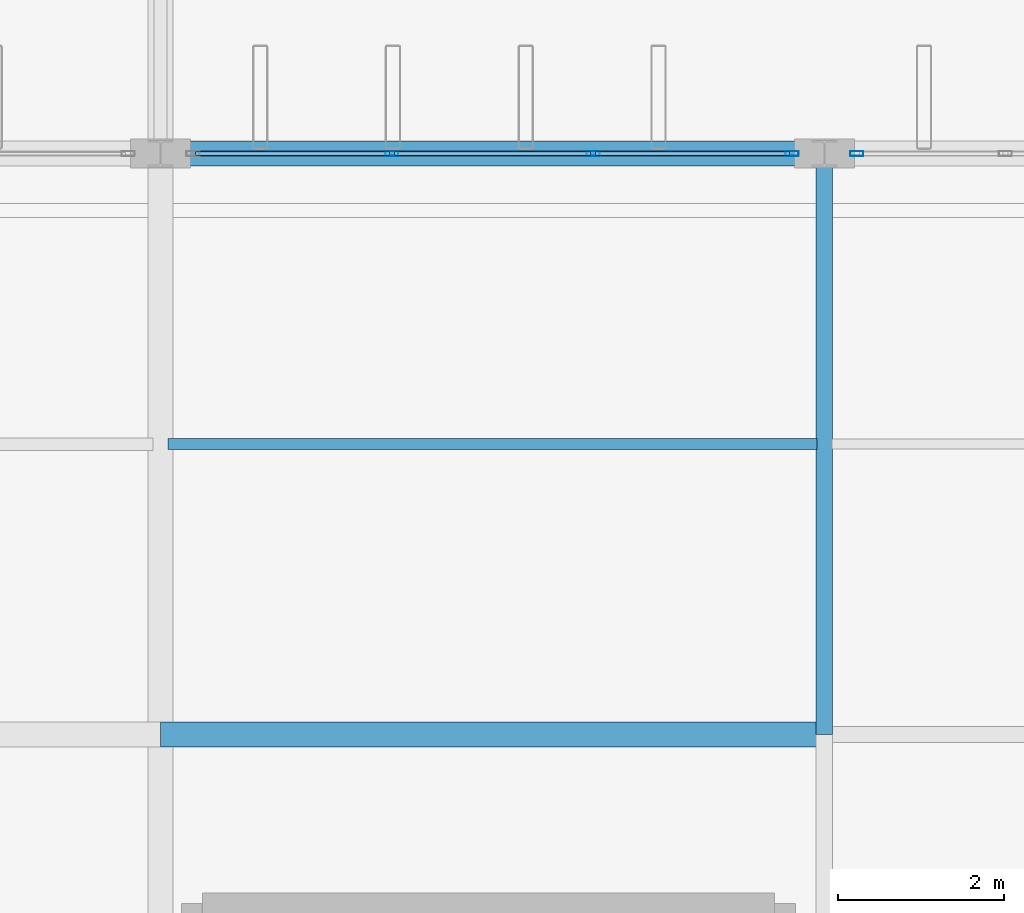
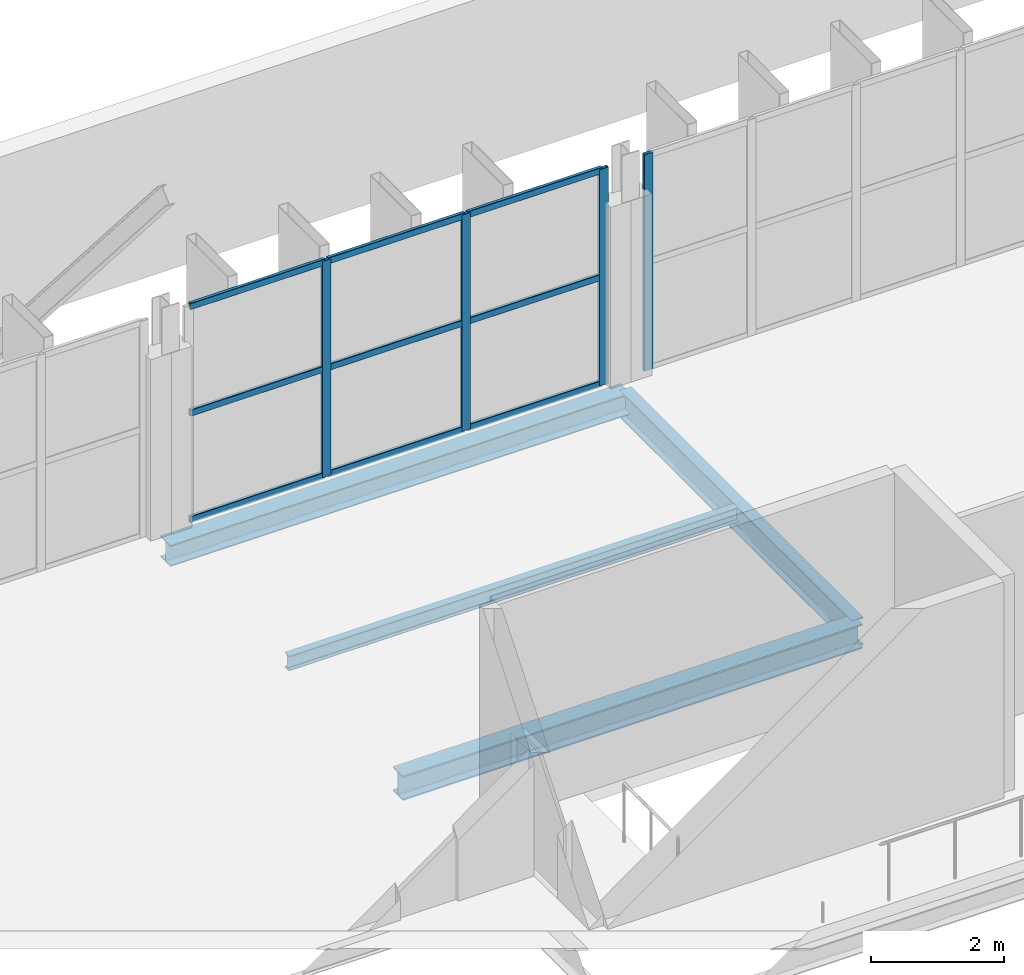
# One storey, part 47 of 93: 13 members, 4 beams, 2 elements without a shape of their own.
"""IFC4 building model written with IfcOpenShell, lengths in metres."""

from ifc_helpers import new_model, si_unit, direction, frame, origin, origin_2d, place, context, subcontext, project, spatial, hollow_rectangle, i_section, extrude, material, layer, layer_set, material_profile, profile_set, type_object, element, aggregate, save


model = new_model("IFC4")

# Units and contexts
model_context = context("Model", 3, precision=1e-05, world=origin(), true_north=direction((0.0, 1.0)))
body_context = subcontext(model_context, "Body", "Model", "MODEL_VIEW")
ifc_project = project(units=[si_unit("LENGTHUNIT", "METRE"), si_unit("AREAUNIT", "SQUARE_METRE"), si_unit("VOLUMEUNIT", "CUBIC_METRE"), si_unit("PLANEANGLEUNIT", "RADIAN"), si_unit("MASSUNIT", "GRAM", prefix="KILO")], contexts=[model_context])

# Site, building, storey
site_placement = place(None, origin())
site = spatial("IfcSite", under=ifc_project, at=site_placement, CompositionType="ELEMENT")
building_placement = place(site_placement, origin())
building = spatial("IfcBuilding", under=site, at=building_placement, Name="Vekula Escarpment Museum", CompositionType="ELEMENT")
storey_placement = place(building_placement, frame((0.0, 0.0, 22.199951171875)))
storey = spatial("IfcBuildingStorey", under=building, at=storey_placement, Name="L05", CompositionType="ELEMENT", Elevation=22.199951171875)

# Beams
ifc_material_1 = material(Name="Steel S355", Category="steel")
ifc_material_profile_1 = material_profile(ifc_material_1, i_section(OverallWidth=0.300048828125, OverallDepth=0.449951171875, WebThickness=0.013916015625, FlangeThickness=0.02587890625, FilletRadius=0.027099609375, at=origin_2d()), Name="HEB 450")
ifc_profile_set_1 = profile_set([ifc_material_profile_1], Name="Steel S355")
beam_type_1 = type_object("IfcBeamType", Name="BM-GIRD-HEB450", PredefinedType="BEAM", material=ifc_profile_set_1)
beam_1_placement = place(storey_placement, frame((86.0, 83.39990234375, -0.445068359375), z_axis=(1.0, 0.0, 0.0), x_axis=(0.0, 1.0, 0.0)))
element("IfcBeam", 1, at=beam_1_placement, inside=storey, type_object=beam_type_1, Name="Beam X L05 2038", PredefinedType="BEAM", context=body_context, shape_type="SweptSolid", body=[
    extrude(i_section(OverallWidth=0.300048828125, OverallDepth=0.449951171875, WebThickness=0.013916015625, FlangeThickness=0.02587890625, FilletRadius=0.027099609375, at=origin_2d()), origin(), (0.0, 0.0, 1.0), 8.0),
])
ifc_material_2 = material(Name="Steel S355", Category="steel")
ifc_material_profile_2 = material_profile(ifc_material_2, i_section(OverallWidth=0.199951171875, OverallDepth=0.5, WebThickness=0.01025390625, FlangeThickness=0.01611328125, FilletRadius=0.02099609375, at=origin_2d()), Name="IPE 500")
ifc_profile_set_2 = profile_set([ifc_material_profile_2], Name="Steel S355")
beam_type_2 = type_object("IfcBeamType", Name="BM-GIRD-IPE500", PredefinedType="BEAM", material=ifc_profile_set_2)
beam_2_placement = place(storey_placement, frame((94.0, 83.39990234375, -0.469970703125), z_axis=(0.0, 1.0, 0.0), x_axis=(-1.0, 0.0, 0.0)))
element("IfcBeam", 2, at=beam_2_placement, inside=storey, type_object=beam_type_2, Name="Beam Y L05 2137", PredefinedType="BEAM", context=body_context, shape_type="SweptSolid", body=[
    extrude(i_section(OverallWidth=0.199951171875, OverallDepth=0.5, WebThickness=0.01025390625, FlangeThickness=0.01611328125, FilletRadius=0.02099609375, at=origin_2d()), origin(), (0.0, 0.0, 1.0), 7.0),
])
ifc_material_3 = material(Name="Steel S355", Category="steel")
ifc_material_profile_3 = material_profile(ifc_material_3, i_section(OverallWidth=0.135009765625, OverallDepth=0.27001953125, WebThickness=0.006591796875, FlangeThickness=0.01025390625, FilletRadius=0.014892578125, at=origin_2d()), Name="IPE 270")
ifc_profile_set_3 = profile_set([ifc_material_profile_3], Name="Steel S355")
beam_type_3 = type_object("IfcBeamType", Name="BM-JST-IPE270", PredefinedType="JOIST", material=ifc_profile_set_3)
beam_3_placement = place(storey_placement, frame((86.090087890625, 86.89990234375, -0.35498046875), z_axis=(1.0, 0.0, 0.0), x_axis=(0.0, 1.0, 0.0)))
element("IfcBeam", 3, at=beam_3_placement, inside=storey, type_object=beam_type_3, Name="Secondary Joist L05 1357", PredefinedType="JOIST", context=body_context, shape_type="SweptSolid", body=[
    extrude(i_section(OverallWidth=0.135009765625, OverallDepth=0.27001953125, WebThickness=0.006591796875, FlangeThickness=0.01025390625, FilletRadius=0.014892578125, at=origin_2d()), origin(), (0.0, 0.0, 1.0), 7.81982421875),
])
ifc_material_4 = material(Name="Steel S355", Category="steel")
ifc_material_profile_4 = material_profile(ifc_material_4, i_section(OverallWidth=0.300048828125, OverallDepth=0.389892578125, WebThickness=0.010986328125, FlangeThickness=0.01904296875, FilletRadius=0.027099609375, at=origin_2d()), Name="HEA 400")
ifc_profile_set_4 = profile_set([ifc_material_profile_4], Name="Steel S355")
beam_type_4 = type_object("IfcBeamType", Name="BM-SPAN-HEA400", PredefinedType="SPANDREL", material=ifc_profile_set_4)
beam_4_placement = place(storey_placement, frame((86.0, 90.39990234375, -0.4150390625), z_axis=(1.0, 0.0, 0.0), x_axis=(0.0, 1.0, 0.0)))
element("IfcBeam", 4, at=beam_4_placement, inside=storey, type_object=beam_type_4, Name="Beam X L05 2048", PredefinedType="SPANDREL", context=body_context, shape_type="SweptSolid", body=[
    extrude(i_section(OverallWidth=0.300048828125, OverallDepth=0.389892578125, WebThickness=0.010986328125, FlangeThickness=0.01904296875, FilletRadius=0.027099609375, at=origin_2d()), origin(), (0.0, 0.0, 1.0), 8.0),
])

# Curtain wall, member
ifc_material_5 = material(Name="Aluminium thermally broken framing", Category="aluminium")
ifc_layer_1 = layer(ifc_material_5, 0.14990234375)
ifc_layer_set_1 = layer_set([ifc_layer_1], Name="Aluminium thermally broken framing")
curtain_wall_type_1 = type_object("IfcCurtainWallType", Name="CW-SYS-09", PredefinedType="NOTDEFINED", material=ifc_layer_set_1)
curtain_wall_1_placement = place(storey_placement, origin())
curtain_wall_1 = element("IfcCurtainWall", 5, at=curtain_wall_1_placement, inside=storey, type_object=curtain_wall_type_1, Name="Curtain Wall CW-L05-179", PredefinedType="NOTDEFINED")
ifc_material_6 = material(Name="Aluminium anodized mullion", Category="aluminium")
ifc_material_profile_5 = material_profile(ifc_material_6, hollow_rectangle(XDim=0.06005859375, YDim=0.159912109375, WallThickness=0.00390625, InnerFilletRadius=0.00390625, OuterFilletRadius=0.008056640625, at=origin_2d()), Name="ALU 160x60x4")
ifc_profile_set_5 = profile_set([ifc_material_profile_5], Name="Aluminium anodized mullion")
member_type_1 = type_object("IfcMemberType", Name="CW-MUL-160", PredefinedType="MULLION", material=ifc_profile_set_5)
member_1_placement = place(storey_placement, frame((94.389892578125, 90.39990234375, 0.0), z_axis=(0.0, 0.0, 1.0), x_axis=(0.0, -1.0, 0.0)))
member_1 = element("IfcMember", 6, at=member_1_placement, type_object=member_type_1, Name="CW-09 mullion 5", PredefinedType="MULLION", context=body_context, shape_type="SweptSolid", body=[
    extrude(hollow_rectangle(XDim=0.06005859375, YDim=0.159912109375, WallThickness=0.00390625, InnerFilletRadius=0.00390625, OuterFilletRadius=0.008056640625, at=origin_2d()), origin(), (0.0, 0.0, 1.0), 3.97998046875),
])
aggregate(curtain_wall_1, [member_1])

# Curtain wall, members
ifc_material_7 = material(Name="Aluminium thermally broken framing", Category="aluminium")
ifc_layer_2 = layer(ifc_material_7, 0.169921875)
ifc_layer_set_2 = layer_set([ifc_layer_2], Name="Aluminium thermally broken framing")
curtain_wall_type_2 = type_object("IfcCurtainWallType", Name="CW-SYS-10", PredefinedType="NOTDEFINED", material=ifc_layer_set_2)
curtain_wall_2_placement = place(storey_placement, origin())
curtain_wall_2 = element("IfcCurtainWall", 7, at=curtain_wall_2_placement, inside=storey, type_object=curtain_wall_type_2, Name="Curtain Wall CW-L05-180", PredefinedType="NOTDEFINED")
member_2_placement = place(storey_placement, frame((93.610107421875, 90.39990234375, 0.0), z_axis=(0.0, 0.0, 1.0), x_axis=(0.0, -1.0, 0.0)))
member_2 = element("IfcMember", 8, at=member_2_placement, type_object=member_type_1, Name="CW-10 mullion 1", PredefinedType="MULLION", context=body_context, shape_type="SweptSolid", body=[
    extrude(hollow_rectangle(XDim=0.06005859375, YDim=0.159912109375, WallThickness=0.00390625, InnerFilletRadius=0.00390625, OuterFilletRadius=0.008056640625, at=origin_2d()), origin(), (0.0, 0.0, 1.0), 3.97998046875),
])
member_3_placement = place(storey_placement, frame((91.21337890625, 90.39990234375, 0.0), z_axis=(0.0, 0.0, 1.0), x_axis=(0.0, -1.0, 0.0)))
member_3 = element("IfcMember", 9, at=member_3_placement, type_object=member_type_1, Name="CW-10 mullion 2", PredefinedType="MULLION", context=body_context, shape_type="SweptSolid", body=[
    extrude(hollow_rectangle(XDim=0.06005859375, YDim=0.159912109375, WallThickness=0.00390625, InnerFilletRadius=0.00390625, OuterFilletRadius=0.008056640625, at=origin_2d()), origin(), (0.0, 0.0, 1.0), 3.97998046875),
])
member_4_placement = place(storey_placement, frame((88.78662109375, 90.39990234375, 0.0), z_axis=(0.0, 0.0, 1.0), x_axis=(0.0, -1.0, 0.0)))
member_4 = element("IfcMember", 10, at=member_4_placement, type_object=member_type_1, Name="CW-10 mullion 3", PredefinedType="MULLION", context=body_context, shape_type="SweptSolid", body=[
    extrude(hollow_rectangle(XDim=0.06005859375, YDim=0.159912109375, WallThickness=0.00390625, InnerFilletRadius=0.00390625, OuterFilletRadius=0.008056640625, at=origin_2d()), origin(), (0.0, 0.0, 1.0), 3.97998046875),
])
ifc_material_8 = material(Name="Aluminium anodized transom", Category="aluminium")
ifc_material_profile_6 = material_profile(ifc_material_8, hollow_rectangle(XDim=0.06005859375, YDim=0.1201171875, WallThickness=0.00390625, InnerFilletRadius=0.00390625, OuterFilletRadius=0.008056640625, at=origin_2d()), Name="ALU 120x60x4")
ifc_profile_set_6 = profile_set([ifc_material_profile_6], Name="Aluminium anodized transom")
member_type_2 = type_object("IfcMemberType", Name="CW-TRN-120", PredefinedType="USERDEFINED", material=ifc_profile_set_6)
member_5_placement = place(storey_placement, frame((93.580078125, 90.39990234375, 0.030029296875), z_axis=(-1.0, 0.0, 0.0), x_axis=(0.0, -1.0, 0.0)))
member_5 = element("IfcMember", 11, at=member_5_placement, type_object=member_type_2, Name="CW-10 transom 1.1", ObjectType="TRANSOM", PredefinedType="USERDEFINED", context=body_context, shape_type="SweptSolid", body=[
    extrude(hollow_rectangle(XDim=0.06005859375, YDim=0.1201171875, WallThickness=0.00390625, InnerFilletRadius=0.00390625, OuterFilletRadius=0.008056640625, at=origin_2d()), origin(), (0.0, 0.0, 1.0), 2.336669921875),
])
member_6_placement = place(storey_placement, frame((93.580078125, 90.39990234375, 1.989990234375), z_axis=(-1.0, 0.0, 0.0), x_axis=(0.0, -1.0, 0.0)))
member_6 = element("IfcMember", 12, at=member_6_placement, type_object=member_type_2, Name="CW-10 transom 1.2", ObjectType="TRANSOM", PredefinedType="USERDEFINED", context=body_context, shape_type="SweptSolid", body=[
    extrude(hollow_rectangle(XDim=0.06005859375, YDim=0.1201171875, WallThickness=0.00390625, InnerFilletRadius=0.00390625, OuterFilletRadius=0.008056640625, at=origin_2d()), origin(), (0.0, 0.0, 1.0), 2.336669921875),
])
member_7_placement = place(storey_placement, frame((93.580078125, 90.39990234375, 3.949951171875), z_axis=(-1.0, 0.0, 0.0), x_axis=(0.0, -1.0, 0.0)))
member_7 = element("IfcMember", 13, at=member_7_placement, type_object=member_type_2, Name="CW-10 transom 1.3", ObjectType="TRANSOM", PredefinedType="USERDEFINED", context=body_context, shape_type="SweptSolid", body=[
    extrude(hollow_rectangle(XDim=0.06005859375, YDim=0.1201171875, WallThickness=0.00390625, InnerFilletRadius=0.00390625, OuterFilletRadius=0.008056640625, at=origin_2d()), origin(), (0.0, 0.0, 1.0), 2.336669921875),
])
member_8_placement = place(storey_placement, frame((91.183349609375, 90.39990234375, 0.030029296875), z_axis=(-1.0, 0.0, 0.0), x_axis=(0.0, -1.0, 0.0)))
member_8 = element("IfcMember", 14, at=member_8_placement, type_object=member_type_2, Name="CW-10 transom 2.1", ObjectType="TRANSOM", PredefinedType="USERDEFINED", context=body_context, shape_type="SweptSolid", body=[
    extrude(hollow_rectangle(XDim=0.06005859375, YDim=0.1201171875, WallThickness=0.00390625, InnerFilletRadius=0.00390625, OuterFilletRadius=0.008056640625, at=origin_2d()), origin(), (0.0, 0.0, 1.0), 2.36669921875),
])
member_9_placement = place(storey_placement, frame((91.183349609375, 90.39990234375, 1.989990234375), z_axis=(-1.0, 0.0, 0.0), x_axis=(0.0, -1.0, 0.0)))
member_9 = element("IfcMember", 15, at=member_9_placement, type_object=member_type_2, Name="CW-10 transom 2.2", ObjectType="TRANSOM", PredefinedType="USERDEFINED", context=body_context, shape_type="SweptSolid", body=[
    extrude(hollow_rectangle(XDim=0.06005859375, YDim=0.1201171875, WallThickness=0.00390625, InnerFilletRadius=0.00390625, OuterFilletRadius=0.008056640625, at=origin_2d()), origin(), (0.0, 0.0, 1.0), 2.36669921875),
])
member_10_placement = place(storey_placement, frame((91.183349609375, 90.39990234375, 3.949951171875), z_axis=(-1.0, 0.0, 0.0), x_axis=(0.0, -1.0, 0.0)))
member_10 = element("IfcMember", 16, at=member_10_placement, type_object=member_type_2, Name="CW-10 transom 2.3", ObjectType="TRANSOM", PredefinedType="USERDEFINED", context=body_context, shape_type="SweptSolid", body=[
    extrude(hollow_rectangle(XDim=0.06005859375, YDim=0.1201171875, WallThickness=0.00390625, InnerFilletRadius=0.00390625, OuterFilletRadius=0.008056640625, at=origin_2d()), origin(), (0.0, 0.0, 1.0), 2.36669921875),
])
member_11_placement = place(storey_placement, frame((88.756591796875, 90.39990234375, 0.030029296875), z_axis=(-1.0, 0.0, 0.0), x_axis=(0.0, -1.0, 0.0)))
member_11 = element("IfcMember", 17, at=member_11_placement, type_object=member_type_2, Name="CW-10 transom 3.1", ObjectType="TRANSOM", PredefinedType="USERDEFINED", context=body_context, shape_type="SweptSolid", body=[
    extrude(hollow_rectangle(XDim=0.06005859375, YDim=0.1201171875, WallThickness=0.00390625, InnerFilletRadius=0.00390625, OuterFilletRadius=0.008056640625, at=origin_2d()), origin(), (0.0, 0.0, 1.0), 2.336669921875),
])
member_12_placement = place(storey_placement, frame((88.756591796875, 90.39990234375, 1.989990234375), z_axis=(-1.0, 0.0, 0.0), x_axis=(0.0, -1.0, 0.0)))
member_12 = element("IfcMember", 18, at=member_12_placement, type_object=member_type_2, Name="CW-10 transom 3.2", ObjectType="TRANSOM", PredefinedType="USERDEFINED", context=body_context, shape_type="SweptSolid", body=[
    extrude(hollow_rectangle(XDim=0.06005859375, YDim=0.1201171875, WallThickness=0.00390625, InnerFilletRadius=0.00390625, OuterFilletRadius=0.008056640625, at=origin_2d()), origin(), (0.0, 0.0, 1.0), 2.336669921875),
])
member_13_placement = place(storey_placement, frame((88.756591796875, 90.39990234375, 3.949951171875), z_axis=(-1.0, 0.0, 0.0), x_axis=(0.0, -1.0, 0.0)))
member_13 = element("IfcMember", 19, at=member_13_placement, type_object=member_type_2, Name="CW-10 transom 3.3", ObjectType="TRANSOM", PredefinedType="USERDEFINED", context=body_context, shape_type="SweptSolid", body=[
    extrude(hollow_rectangle(XDim=0.06005859375, YDim=0.1201171875, WallThickness=0.00390625, InnerFilletRadius=0.00390625, OuterFilletRadius=0.008056640625, at=origin_2d()), origin(), (0.0, 0.0, 1.0), 2.336669921875),
])
aggregate(curtain_wall_2, [member_2, member_3, member_4, member_5, member_6, member_7, member_8, member_9, member_10, member_11, member_12, member_13])

save(model, "model.ifc")
